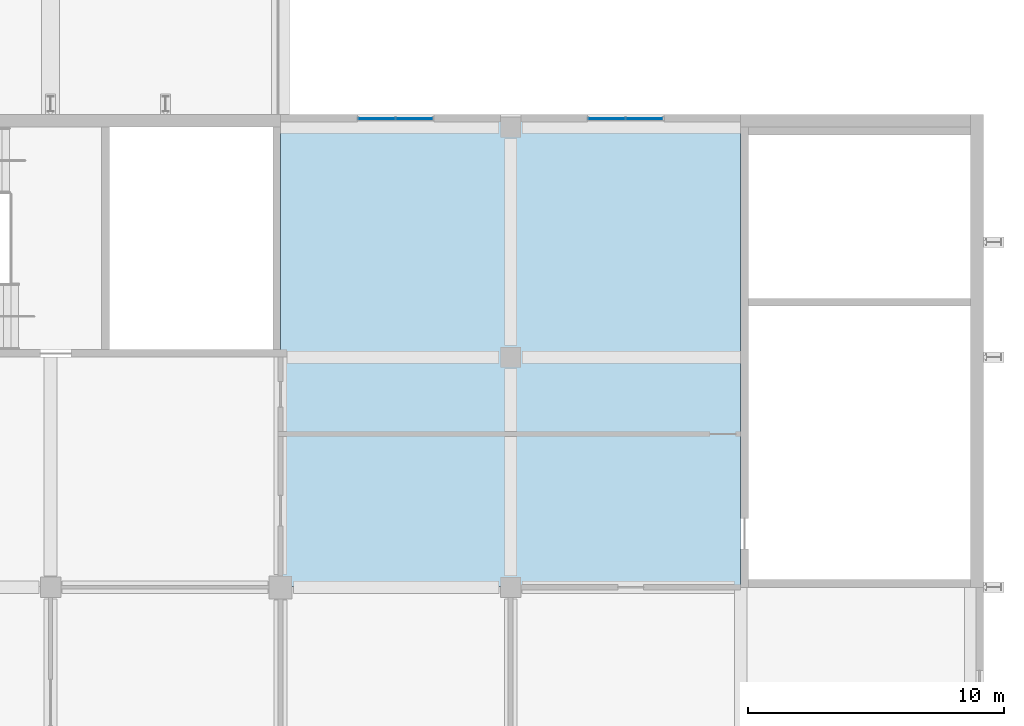
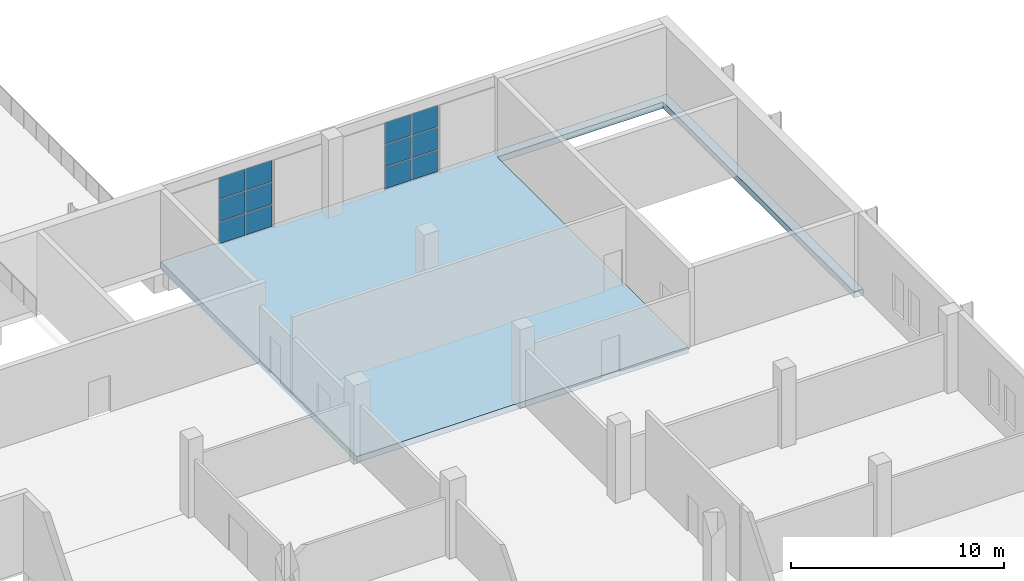
# One storey, part 90 of 168: 12 plates, 1 slab, 2 elements without a shape of their own.
"""IFC4 building model written with IfcOpenShell, lengths in metres."""

from ifc_helpers import new_model, si_unit, direction, frame, origin, origin_2d, place, context, subcontext, project, spatial, polyline, rectangle, outline, extrude, material, layer, layer_set, type_object, element, aggregate, save


model = new_model("IFC4")

# Units and contexts
model_context = context("Model", 3, precision=1e-05, world=origin(), true_north=direction((0.0, 1.0)))
body_context = subcontext(model_context, "Body", "Model", "MODEL_VIEW")
ifc_project = project(units=[si_unit("LENGTHUNIT", "METRE"), si_unit("AREAUNIT", "SQUARE_METRE"), si_unit("VOLUMEUNIT", "CUBIC_METRE"), si_unit("PLANEANGLEUNIT", "RADIAN"), si_unit("MASSUNIT", "GRAM", prefix="KILO")], contexts=[model_context])

# Site, building, storey
site_placement = place(None, origin())
site = spatial("IfcSite", under=ifc_project, at=site_placement, CompositionType="ELEMENT")
building_placement = place(site_placement, origin())
building = spatial("IfcBuilding", under=site, at=building_placement, Name="Silverbay Arena", CompositionType="ELEMENT")
storey_placement = place(building_placement, frame((0.0, 0.0, 7.0)))
storey = spatial("IfcBuildingStorey", under=building, at=storey_placement, Name="L01", CompositionType="ELEMENT", Elevation=7.0)

# Curtain wall, plates
ifc_material_1 = material(Name="Aluminium framed curtain wall", Category="aluminium")
curtain_wall_type = type_object("IfcCurtainWallType", Name="Curtain wall 3000 x 3900", PredefinedType="NOTDEFINED", material=ifc_material_1)
curtain_wall_1_placement = place(storey_placement, origin())
curtain_wall_1 = element("IfcCurtainWall", 1, at=curtain_wall_1_placement, inside=storey, type_object=curtain_wall_type, Name="North curtain wall L01 bay 21", PredefinedType="NOTDEFINED")
ifc_material_2 = material(Name="Laminated glass", Category="glass")
ifc_layer_1 = layer(ifc_material_2, 0.028076171875)
ifc_layer_set_1 = layer_set([ifc_layer_1], Name="Laminated glass")
plate_type = type_object("IfcPlateType", Name="Glass panel 28", PredefinedType="CURTAIN_PANEL", material=ifc_layer_set_1)
plate_1_placement = place(storey_placement, frame((212.235107421875, 144.330078125, 0.050048828125), z_axis=(0.0, 0.0, 1.0), x_axis=(-1.0, 0.0, 0.0)))
plate_1 = element("IfcPlate", 2, at=plate_1_placement, type_object=plate_type, Name="CW5 panel 1.1", PredefinedType="CURTAIN_PANEL", context=body_context, shape_type="SweptSolid", body=[
    extrude(rectangle(XDim=1.409912109375, YDim=0.028076171875, at=origin_2d()), origin(), (0.0, 0.0, 1.0), 1.22509765625),
])
plate_2_placement = place(storey_placement, frame((212.235107421875, 144.330078125, 1.324951171875), z_axis=(0.0, 0.0, 1.0), x_axis=(-1.0, 0.0, 0.0)))
plate_2 = element("IfcPlate", 3, at=plate_2_placement, type_object=plate_type, Name="CW5 panel 1.2", PredefinedType="CURTAIN_PANEL", context=body_context, shape_type="SweptSolid", body=[
    extrude(rectangle(XDim=1.409912109375, YDim=0.028076171875, at=origin_2d()), origin(), (0.0, 0.0, 1.0), 1.25),
])
plate_3_placement = place(storey_placement, frame((212.235107421875, 144.330078125, 2.625), z_axis=(0.0, 0.0, 1.0), x_axis=(-1.0, 0.0, 0.0)))
plate_3 = element("IfcPlate", 4, at=plate_3_placement, type_object=plate_type, Name="CW5 panel 1.3", PredefinedType="CURTAIN_PANEL", context=body_context, shape_type="SweptSolid", body=[
    extrude(rectangle(XDim=1.409912109375, YDim=0.028076171875, at=origin_2d()), origin(), (0.0, 0.0, 1.0), 1.22509765625),
])
plate_4_placement = place(storey_placement, frame((210.764892578125, 144.330078125, 0.050048828125), z_axis=(0.0, 0.0, 1.0), x_axis=(-1.0, 0.0, 0.0)))
plate_4 = element("IfcPlate", 5, at=plate_4_placement, type_object=plate_type, Name="CW5 panel 2.1", PredefinedType="CURTAIN_PANEL", context=body_context, shape_type="SweptSolid", body=[
    extrude(rectangle(XDim=1.409912109375, YDim=0.028076171875, at=origin_2d()), origin(), (0.0, 0.0, 1.0), 1.22509765625),
])
plate_5_placement = place(storey_placement, frame((210.764892578125, 144.330078125, 1.324951171875), z_axis=(0.0, 0.0, 1.0), x_axis=(-1.0, 0.0, 0.0)))
plate_5 = element("IfcPlate", 6, at=plate_5_placement, type_object=plate_type, Name="CW5 panel 2.2", PredefinedType="CURTAIN_PANEL", context=body_context, shape_type="SweptSolid", body=[
    extrude(rectangle(XDim=1.409912109375, YDim=0.028076171875, at=origin_2d()), origin(), (0.0, 0.0, 1.0), 1.25),
])
plate_6_placement = place(storey_placement, frame((210.764892578125, 144.330078125, 2.625), z_axis=(0.0, 0.0, 1.0), x_axis=(-1.0, 0.0, 0.0)))
plate_6 = element("IfcPlate", 7, at=plate_6_placement, type_object=plate_type, Name="CW5 panel 2.3", PredefinedType="CURTAIN_PANEL", context=body_context, shape_type="SweptSolid", body=[
    extrude(rectangle(XDim=1.409912109375, YDim=0.028076171875, at=origin_2d()), origin(), (0.0, 0.0, 1.0), 1.22509765625),
])
aggregate(curtain_wall_1, [plate_1, plate_2, plate_3, plate_4, plate_5, plate_6])

curtain_wall_2_placement = place(storey_placement, origin())
curtain_wall_2 = element("IfcCurtainWall", 8, at=curtain_wall_2_placement, inside=storey, type_object=curtain_wall_type, Name="North curtain wall L01 bay 22", PredefinedType="NOTDEFINED")
plate_7_placement = place(storey_placement, frame((221.235107421875, 144.330078125, 0.050048828125), z_axis=(0.0, 0.0, 1.0), x_axis=(-1.0, 0.0, 0.0)))
plate_7 = element("IfcPlate", 9, at=plate_7_placement, type_object=plate_type, Name="CW5 panel 1.1", PredefinedType="CURTAIN_PANEL", context=body_context, shape_type="SweptSolid", body=[
    extrude(rectangle(XDim=1.409912109375, YDim=0.028076171875, at=origin_2d()), origin(), (0.0, 0.0, 1.0), 1.22509765625),
])
plate_8_placement = place(storey_placement, frame((221.235107421875, 144.330078125, 1.324951171875), z_axis=(0.0, 0.0, 1.0), x_axis=(-1.0, 0.0, 0.0)))
plate_8 = element("IfcPlate", 10, at=plate_8_placement, type_object=plate_type, Name="CW5 panel 1.2", PredefinedType="CURTAIN_PANEL", context=body_context, shape_type="SweptSolid", body=[
    extrude(rectangle(XDim=1.409912109375, YDim=0.028076171875, at=origin_2d()), origin(), (0.0, 0.0, 1.0), 1.25),
])
plate_9_placement = place(storey_placement, frame((221.235107421875, 144.330078125, 2.625), z_axis=(0.0, 0.0, 1.0), x_axis=(-1.0, 0.0, 0.0)))
plate_9 = element("IfcPlate", 11, at=plate_9_placement, type_object=plate_type, Name="CW5 panel 1.3", PredefinedType="CURTAIN_PANEL", context=body_context, shape_type="SweptSolid", body=[
    extrude(rectangle(XDim=1.409912109375, YDim=0.028076171875, at=origin_2d()), origin(), (0.0, 0.0, 1.0), 1.22509765625),
])
plate_10_placement = place(storey_placement, frame((219.764892578125, 144.330078125, 0.050048828125), z_axis=(0.0, 0.0, 1.0), x_axis=(-1.0, 0.0, 0.0)))
plate_10 = element("IfcPlate", 12, at=plate_10_placement, type_object=plate_type, Name="CW5 panel 2.1", PredefinedType="CURTAIN_PANEL", context=body_context, shape_type="SweptSolid", body=[
    extrude(rectangle(XDim=1.409912109375, YDim=0.028076171875, at=origin_2d()), origin(), (0.0, 0.0, 1.0), 1.22509765625),
])
plate_11_placement = place(storey_placement, frame((219.764892578125, 144.330078125, 1.324951171875), z_axis=(0.0, 0.0, 1.0), x_axis=(-1.0, 0.0, 0.0)))
plate_11 = element("IfcPlate", 13, at=plate_11_placement, type_object=plate_type, Name="CW5 panel 2.2", PredefinedType="CURTAIN_PANEL", context=body_context, shape_type="SweptSolid", body=[
    extrude(rectangle(XDim=1.409912109375, YDim=0.028076171875, at=origin_2d()), origin(), (0.0, 0.0, 1.0), 1.25),
])
plate_12_placement = place(storey_placement, frame((219.764892578125, 144.330078125, 2.625), z_axis=(0.0, 0.0, 1.0), x_axis=(-1.0, 0.0, 0.0)))
plate_12 = element("IfcPlate", 14, at=plate_12_placement, type_object=plate_type, Name="CW5 panel 2.3", PredefinedType="CURTAIN_PANEL", context=body_context, shape_type="SweptSolid", body=[
    extrude(rectangle(XDim=1.409912109375, YDim=0.028076171875, at=origin_2d()), origin(), (0.0, 0.0, 1.0), 1.22509765625),
])
aggregate(curtain_wall_2, [plate_7, plate_8, plate_9, plate_10, plate_11, plate_12])

# Slab
ifc_material_3 = material(Name="Concrete Grade C45", Category="concrete")
ifc_layer_2 = layer(ifc_material_3, 0.35009765625)
ifc_layer_set_2 = layer_set([ifc_layer_2], Name="Concrete Grade C45")
slab_type = type_object("IfcSlabType", Name="RC floor slab 350", PredefinedType="FLOOR", material=ifc_layer_set_2)
slab_placement = place(storey_placement, frame((0.0, 0.0, -0.35009765625)))
element("IfcSlab", 15, at=slab_placement, inside=storey, type_object=slab_type, Name="Floor slab L01 unit 24", PredefinedType="FLOOR", context=body_context, shape_type="SweptSolid", body=[
    extrude(outline(polyline([(234.0, 126.02490234375), (234.0, 144.0), (225.0, 144.0), (225.0, 126.02490234375), (207.0, 126.02490234375), (207.0, 144.5), (234.5, 144.5), (234.5, 126.02490234375), (234.0, 126.02490234375)])), origin(), (0.0, 0.0, 1.0), 0.35009765625),
])

save(model, "model.ifc")
